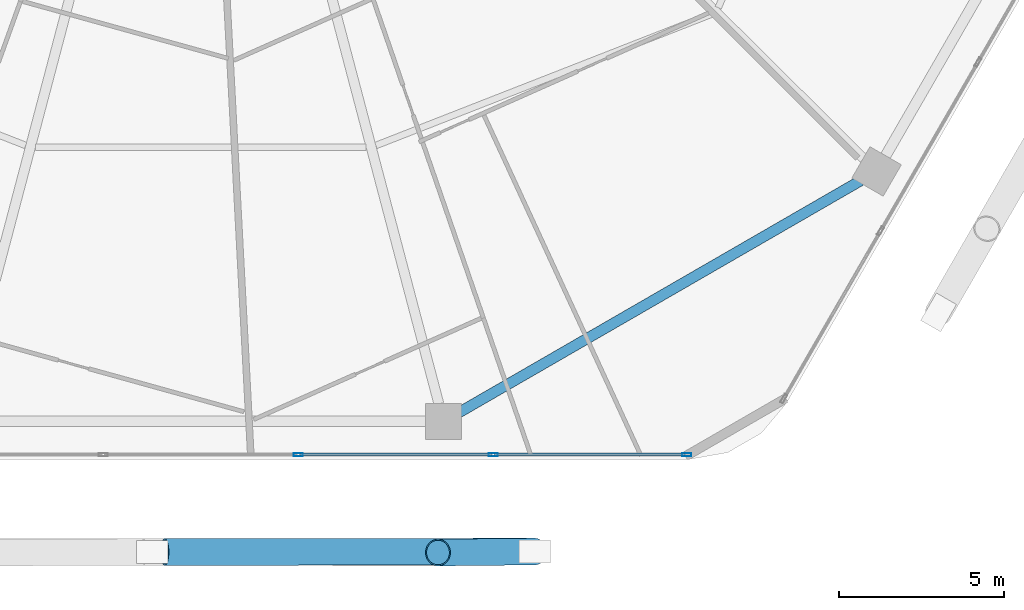
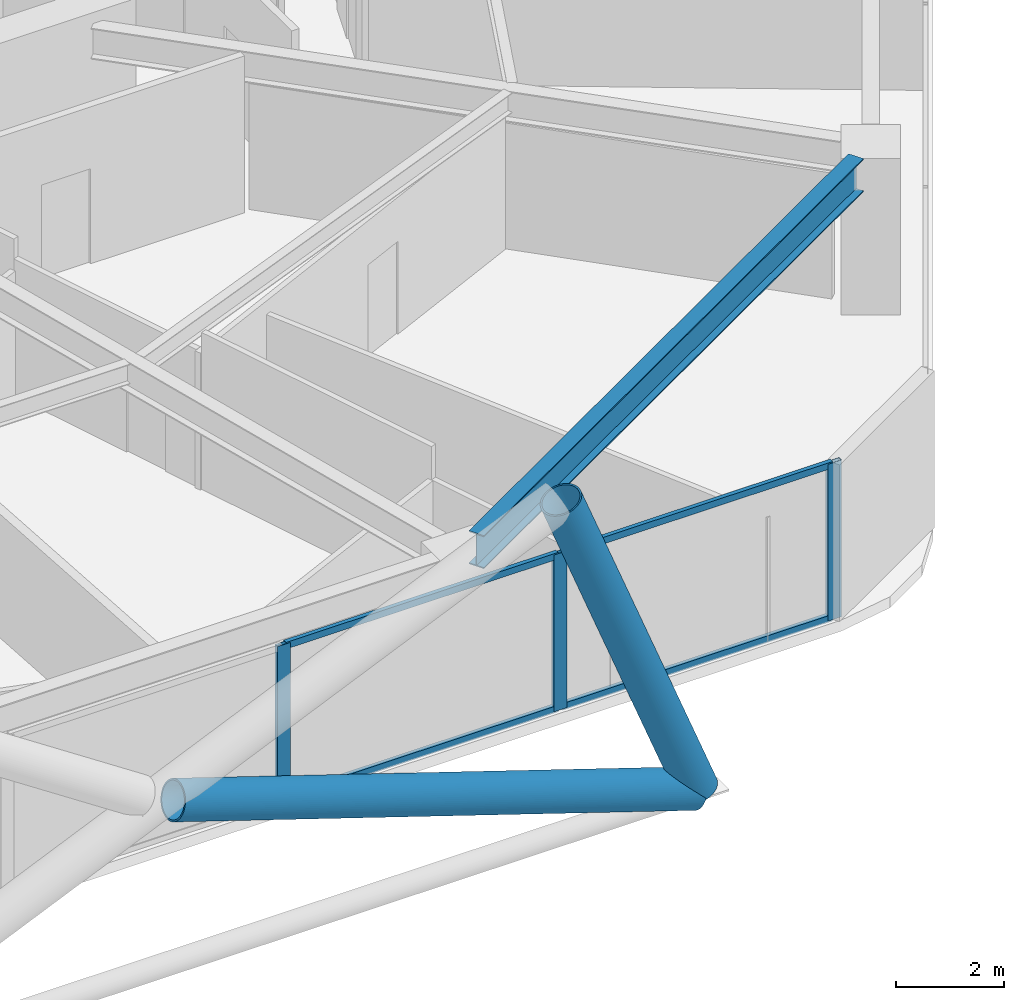
# One storey, part 7 of 35: 9 members, 1 beam, 1 element without a shape of its own.
"""IFC4 building model written with IfcOpenShell, lengths in metres."""

from ifc_helpers import new_model, si_unit, direction, frame, origin, origin_2d, place, context, subcontext, project, spatial, hollow_rectangle, hollow_circle, i_section, extrude, material, material_profile, profile_set, type_object, element, aggregate, save


model = new_model("IFC4")

# Units and contexts
model_context = context("Model", 3, precision=1e-05, world=origin(), true_north=direction((0.0, 1.0)))
body_context = subcontext(model_context, "Body", "Model", "MODEL_VIEW")
ifc_project = project(units=[si_unit("LENGTHUNIT", "METRE"), si_unit("AREAUNIT", "SQUARE_METRE"), si_unit("VOLUMEUNIT", "CUBIC_METRE"), si_unit("PLANEANGLEUNIT", "RADIAN"), si_unit("MASSUNIT", "GRAM", prefix="KILO")], contexts=[model_context])

# Site, building, storey
site_placement = place(None, origin())
site = spatial("IfcSite", under=ifc_project, at=site_placement, CompositionType="ELEMENT")
building_placement = place(site_placement, origin())
building = spatial("IfcBuilding", under=site, at=building_placement, Name="Zuhravey Tower", CompositionType="ELEMENT")
storey_placement = place(building_placement, frame((0.0, 0.0, 122.800048828125)))
storey = spatial("IfcBuildingStorey", under=building, at=storey_placement, Name="L30", CompositionType="ELEMENT", Elevation=122.800048828125)

# Curtain wall, members
ifc_material_1 = material(Name="Thermally broken anodised aluminium", Category="aluminium")
curtain_wall_type = type_object("IfcCurtainWallType", Name="Zone 1-2 Residential Curtain Wall CW3", PredefinedType="NOTDEFINED", material=ifc_material_1)
curtain_wall_placement = place(storey_placement, origin())
curtain_wall = element("IfcCurtainWall", 1, at=curtain_wall_placement, inside=storey, type_object=curtain_wall_type, Name="L30 CW3 CW-L30-F5-1", PredefinedType="NOTDEFINED")
ifc_material_2 = material(Name="Anodised aluminium", Category="aluminium")
ifc_material_profile_1 = material_profile(ifc_material_2, hollow_rectangle(XDim=0.090087890625, YDim=0.284912109375, WallThickness=0.0048828125, at=origin_2d()), Name="ALU-RHS-90x285x5")
ifc_profile_set_1 = profile_set([ifc_material_profile_1], Name="Anodised aluminium")
member_type_1 = type_object("IfcMemberType", Name="Curtain-Wall Mullion 90x180", PredefinedType="MULLION", material=ifc_profile_set_1)
member_1_placement = place(storey_placement, frame((50.75439453125, 3.04150390625, 0.0), z_axis=(0.0, 0.0, 1.0), x_axis=(0.0, -1.0, 0.0)))
member_1 = element("IfcMember", 2, at=member_1_placement, type_object=member_type_1, Name="CW3 mullion 1", PredefinedType="MULLION", context=body_context, shape_type="SweptSolid", body=[
    extrude(hollow_rectangle(XDim=0.090087890625, YDim=0.284912109375, WallThickness=0.0048828125, at=origin_2d()), origin(), (0.0, 0.0, 1.0), 3.550048828125),
])
member_2_placement = place(storey_placement, frame((44.879638671875, 3.04150390625, 0.0), z_axis=(0.0, 0.0, 1.0), x_axis=(0.0, -1.0, 0.0)))
member_2 = element("IfcMember", 3, at=member_2_placement, type_object=member_type_1, Name="CW3 mullion 2", PredefinedType="MULLION", context=body_context, shape_type="SweptSolid", body=[
    extrude(hollow_rectangle(XDim=0.090087890625, YDim=0.284912109375, WallThickness=0.0048828125, at=origin_2d()), origin(), (0.0, 0.0, 1.0), 3.550048828125),
])
member_3_placement = place(storey_placement, frame((38.9599609375, 3.04150390625, 0.0), z_axis=(0.0, 0.0, 1.0), x_axis=(0.0, -1.0, 0.0)))
member_3 = element("IfcMember", 4, at=member_3_placement, type_object=member_type_1, Name="CW3 mullion 3", PredefinedType="MULLION", context=body_context, shape_type="SweptSolid", body=[
    extrude(hollow_rectangle(XDim=0.090087890625, YDim=0.284912109375, WallThickness=0.0048828125, at=origin_2d()), origin(), (0.0, 0.0, 1.0), 3.550048828125),
])
ifc_material_profile_2 = material_profile(ifc_material_2, hollow_rectangle(XDim=0.090087890625, YDim=0.14990234375, WallThickness=0.0048828125, at=origin_2d()), Name="ALU-RHS-90x150x5")
ifc_profile_set_2 = profile_set([ifc_material_profile_2], Name="Anodised aluminium")
member_type_2 = type_object("IfcMemberType", Name="Curtain-Wall Transom 90x150", PredefinedType="USERDEFINED", material=ifc_profile_set_2)
member_4_placement = place(storey_placement, frame((50.70947265625, 3.04150390625, 0.044921875), z_axis=(-1.0, 0.0, 0.0), x_axis=(0.0, -1.0, 0.0)))
member_4 = element("IfcMember", 5, at=member_4_placement, type_object=member_type_2, Name="CW3 transom 1.1", ObjectType="TRANSOM", PredefinedType="USERDEFINED", context=body_context, shape_type="SweptSolid", body=[
    extrude(hollow_rectangle(XDim=0.090087890625, YDim=0.14990234375, WallThickness=0.0048828125, at=origin_2d()), origin(), (0.0, 0.0, 1.0), 5.78466796875),
])
member_5_placement = place(storey_placement, frame((50.70947265625, 3.04150390625, 3.5048828125), z_axis=(-1.0, 0.0, 0.0), x_axis=(0.0, -1.0, 0.0)))
member_5 = element("IfcMember", 6, at=member_5_placement, type_object=member_type_2, Name="CW3 transom 1.2", ObjectType="TRANSOM", PredefinedType="USERDEFINED", context=body_context, shape_type="SweptSolid", body=[
    extrude(hollow_rectangle(XDim=0.090087890625, YDim=0.14990234375, WallThickness=0.0048828125, at=origin_2d()), origin(), (0.0, 0.0, 1.0), 5.78466796875),
])
member_6_placement = place(storey_placement, frame((44.834716796875, 3.04150390625, 0.044921875), z_axis=(-1.0, 0.0, 0.0), x_axis=(0.0, -1.0, 0.0)))
member_6 = element("IfcMember", 7, at=member_6_placement, type_object=member_type_2, Name="CW3 transom 2.1", ObjectType="TRANSOM", PredefinedType="USERDEFINED", context=body_context, shape_type="SweptSolid", body=[
    extrude(hollow_rectangle(XDim=0.090087890625, YDim=0.14990234375, WallThickness=0.0048828125, at=origin_2d()), origin(), (0.0, 0.0, 1.0), 5.829833984375),
])
member_7_placement = place(storey_placement, frame((44.834716796875, 3.04150390625, 3.5048828125), z_axis=(-1.0, 0.0, 0.0), x_axis=(0.0, -1.0, 0.0)))
member_7 = element("IfcMember", 8, at=member_7_placement, type_object=member_type_2, Name="CW3 transom 2.2", ObjectType="TRANSOM", PredefinedType="USERDEFINED", context=body_context, shape_type="SweptSolid", body=[
    extrude(hollow_rectangle(XDim=0.090087890625, YDim=0.14990234375, WallThickness=0.0048828125, at=origin_2d()), origin(), (0.0, 0.0, 1.0), 5.829833984375),
])
aggregate(curtain_wall, [member_1, member_2, member_3, member_4, member_5, member_6, member_7])

# Members
ifc_material_3 = material(Name="Steel SM460", Category="steel")
ifc_material_profile_3 = material_profile(ifc_material_3, hollow_circle(Radius=0.406494140625, WallThickness=0.035888671875, at=origin_2d()), Name="CHS-812.8x36")
ifc_profile_set_3 = profile_set([ifc_material_profile_3], Name="Steel SM460")
member_type_3 = type_object("IfcMemberType", Name="Exoskeleton Zone 1 Diagrid CHS813x36", PredefinedType="BRACE", material=ifc_profile_set_3)
member_8_placement = place(storey_placement, frame((46.128173828125, 0.101318359375, -0.442138671875), z_axis=(-0.361079571165, -0.003675876809, 0.932527764314), x_axis=(0.010179712835, -0.999948185381, 0.0)))
element("IfcMember", 9, at=member_8_placement, inside=storey, type_object=member_type_3, Name="L30 Face 5 Diagrid Brace 4", PredefinedType="BRACE", context=body_context, shape_type="SweptSolid", body=[
    extrude(hollow_circle(Radius=0.406494140625, WallThickness=0.035888671875, at=origin_2d()), origin(), (0.0, 0.0, 1.0), 8.102783203125),
])
member_9_placement = place(storey_placement, frame((46.084716796875, 0.101318359375, -0.447021484375), z_axis=(-0.950372765072, -0.001224519952, 0.311111086205), x_axis=(0.001288461729, -0.999999169933, 0.0)))
element("IfcMember", 10, at=member_9_placement, inside=storey, type_object=member_type_3, Name="L30 Face 5 Split Diagrid Brace 3A", PredefinedType="BRACE", context=body_context, shape_type="SweptSolid", body=[
    extrude(hollow_circle(Radius=0.406494140625, WallThickness=0.035888671875, at=origin_2d()), origin(), (0.0, 0.0, 1.0), 11.76318359375),
])

# Beam
ifc_material_4 = material(Name="Steel SM355", Category="steel")
ifc_material_profile_4 = material_profile(ifc_material_4, i_section(OverallWidth=0.320068359375, OverallDepth=0.75, WebThickness=0.013916015625, FlangeThickness=0.02490234375, at=origin_2d()), Name="H-750x320x14x25")
ifc_profile_set_4 = profile_set([ifc_material_profile_4], Name="Steel SM355")
beam_type = type_object("IfcBeamType", Name="Perimeter Ring Beam H750x320", PredefinedType="BEAM", material=ifc_profile_set_4)
beam_placement = place(storey_placement, frame((43.848876953125, 4.327880859375, 3.175048828125), z_axis=(0.866017786538, 0.500013193225, 0.0), x_axis=(-0.500013193225, 0.866017786538, 0.0)))
element("IfcBeam", 11, at=beam_placement, inside=storey, type_object=beam_type, Name="L30 PB1 BM-L30-PB-10", PredefinedType="BEAM", context=body_context, shape_type="SweptSolid", body=[
    extrude(i_section(OverallWidth=0.320068359375, OverallDepth=0.75, WebThickness=0.013916015625, FlangeThickness=0.02490234375, at=origin_2d()), origin(), (0.0, 0.0, 1.0), 14.0771484375),
])

save(model, "model.ifc")
